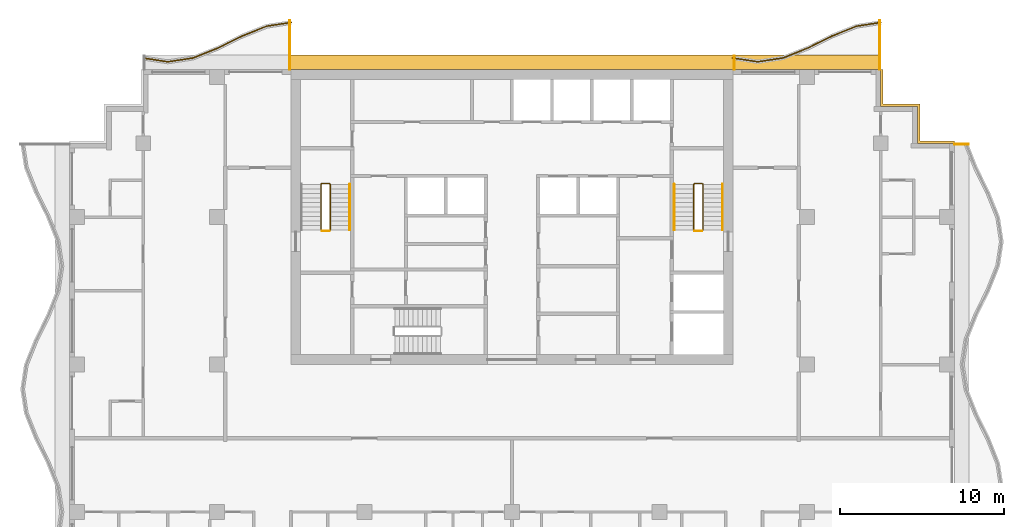
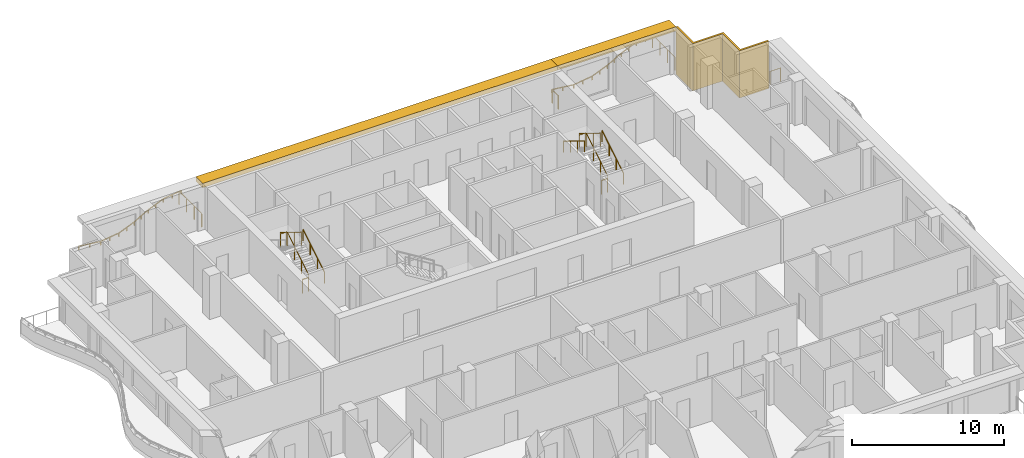
# One storey, part 11 of 11: 13 railings, 3 shading devices.
"""IFC4 building model written with IfcOpenShell, lengths in metres."""

from ifc_helpers import new_model, si_unit, direction, frame, origin, origin_2d, place, context, subcontext, project, spatial, polyline, rectangle, circle, outline, extrude, material, layer, layer_set, type_object, element, save


model = new_model("IFC4")

# Units and contexts
model_context = context("Model", 3, precision=1e-05, world=origin(), true_north=direction((0.0, 1.0)))
body_context = subcontext(model_context, "Body", "Model", "MODEL_VIEW")
ifc_project = project(units=[si_unit("LENGTHUNIT", "METRE"), si_unit("AREAUNIT", "SQUARE_METRE"), si_unit("VOLUMEUNIT", "CUBIC_METRE"), si_unit("PLANEANGLEUNIT", "RADIAN"), si_unit("MASSUNIT", "GRAM", prefix="KILO")], contexts=[model_context])

# Site, building, storey
site_placement = place(None, origin())
site = spatial("IfcSite", under=ifc_project, at=site_placement, CompositionType="ELEMENT")
building_placement = place(site_placement, origin())
building = spatial("IfcBuilding", under=site, at=building_placement, Name="Orbiselva Terraces", CompositionType="ELEMENT")
storey_placement = place(building_placement, frame((0.0, 0.0, 280.6)))
storey = spatial("IfcBuildingStorey", under=building, at=storey_placement, Name="L71", CompositionType="ELEMENT", Elevation=280.6)

# Railings
ifc_material_1 = material(Name="Stainless steel", Category="steel")
railing_type_1 = type_object("IfcRailingType", Name="CORE-GUARD-1100", PredefinedType="GUARDRAIL", material=ifc_material_1)
railing_1_placement = place(storey_placement, frame((-11.1, 12.7, 0.172727)))
element("IfcRailing", 1, at=railing_1_placement, inside=storey, type_object=railing_type_1, Name="L71 S1 stair guard 1", PredefinedType="GUARDRAIL", context=body_context, shape_type="SweptSolid", body=[
    extrude(circle(Radius=0.024, at=origin_2d()), frame((0.0, 0.0, 1.081), z_axis=(0.0, 0.851088519012, 0.52502222125), x_axis=(-1.0, 0.0, 0.0)), (0.0, 0.0, 1.0), 3.289905),
    extrude(circle(Radius=0.024, at=origin_2d()), frame((0.0, 2.8, 2.808273), z_axis=(-0.707106781187, 0.707106781187, 0.0), x_axis=(-0.707106781187, -0.707106781187, 0.0)), (0.0, 0.0, 1.0), 0.070711),
    extrude(circle(Radius=0.024, at=origin_2d()), frame((-0.05, 2.85, 2.808273), z_axis=(-1.0, 0.0, 0.0), x_axis=(0.0, -1.0, 0.0)), (0.0, 0.0, 1.0), 0.45),
    extrude(circle(Radius=0.024, at=origin_2d()), frame((-0.5, 2.85, 2.808273), z_axis=(-0.267894925557, -0.267894925557, 0.925453736133), x_axis=(0.707106781187, -0.707106781187, 0.0)), (0.0, 0.0, 1.0), 0.18664),
    extrude(circle(Radius=0.024, at=origin_2d()), frame((-0.55, 2.8, 2.981), z_axis=(0.0, -0.851088519012, 0.52502222125), x_axis=(1.0, 0.0, 0.0)), (0.0, 0.0, 1.0), 3.289905),
    extrude(circle(Radius=0.021, at=origin_2d()), origin(), (0.0, 0.0, 1.0), 1.057),
    extrude(circle(Radius=0.021, at=origin_2d()), frame((0.0, 0.933333, 0.575758)), (0.0, 0.0, 1.0), 1.057),
    extrude(circle(Radius=0.021, at=origin_2d()), frame((0.0, 1.866667, 1.151515)), (0.0, 0.0, 1.0), 1.057),
    extrude(circle(Radius=0.021, at=origin_2d()), frame((0.0, 2.8, 1.727273)), (0.0, 0.0, 1.0), 1.057),
    extrude(circle(Radius=0.021, at=origin_2d()), frame((-0.05, 2.85, 1.727273)), (0.0, 0.0, 1.0), 1.057),
    extrude(circle(Radius=0.021, at=origin_2d()), frame((-0.5, 2.85, 1.727273)), (0.0, 0.0, 1.0), 1.057),
    extrude(circle(Radius=0.021, at=origin_2d()), frame((-0.55, 2.8, 1.9)), (0.0, 0.0, 1.0), 1.057),
    extrude(circle(Radius=0.021, at=origin_2d()), frame((-0.55, 1.866667, 2.475758)), (0.0, 0.0, 1.0), 1.057),
    extrude(circle(Radius=0.021, at=origin_2d()), frame((-0.55, 0.933333, 3.051515)), (0.0, 0.0, 1.0), 1.057),
    extrude(circle(Radius=0.021, at=origin_2d()), frame((-0.55, 0.0, 3.627273)), (0.0, 0.0, 1.0), 1.057),
])
railing_2_placement = place(storey_placement, frame((-11.15, 12.65, 0.0)))
element("IfcRailing", 2, at=railing_2_placement, inside=storey, type_object=railing_type_1, Name="L71 S1 stair guard 2", PredefinedType="GUARDRAIL", context=body_context, shape_type="SweptSolid", body=[
    extrude(circle(Radius=0.024, at=origin_2d()), frame((0.0, 0.0, 1.081), z_axis=(-1.0, 0.0, 0.0), x_axis=(0.0, -1.0, 0.0)), (0.0, 0.0, 1.0), 0.45),
    extrude(circle(Radius=0.021, at=origin_2d()), origin(), (0.0, 0.0, 1.0), 1.057),
    extrude(circle(Radius=0.021, at=origin_2d()), frame((-0.45, 0.0, 0.0)), (0.0, 0.0, 1.0), 1.057),
])
railing_3_placement = place(storey_placement, frame((11.65, 12.7, 0.172727)))
element("IfcRailing", 3, at=railing_3_placement, inside=storey, type_object=railing_type_1, Name="L71 S2 stair guard 1", PredefinedType="GUARDRAIL", context=body_context, shape_type="SweptSolid", body=[
    extrude(circle(Radius=0.024, at=origin_2d()), frame((0.0, 0.0, 1.081), z_axis=(0.0, 0.851088519012, 0.52502222125), x_axis=(-1.0, 0.0, 0.0)), (0.0, 0.0, 1.0), 3.289905),
    extrude(circle(Radius=0.024, at=origin_2d()), frame((0.0, 2.8, 2.808273), z_axis=(-0.707106781187, 0.707106781187, 0.0), x_axis=(-0.707106781187, -0.707106781187, 0.0)), (0.0, 0.0, 1.0), 0.070711),
    extrude(circle(Radius=0.024, at=origin_2d()), frame((-0.05, 2.85, 2.808273), z_axis=(-1.0, 0.0, 0.0), x_axis=(0.0, -1.0, 0.0)), (0.0, 0.0, 1.0), 0.45),
    extrude(circle(Radius=0.024, at=origin_2d()), frame((-0.5, 2.85, 2.808273), z_axis=(-0.267894925557, -0.267894925557, 0.925453736133), x_axis=(0.707106781187, -0.707106781187, 0.0)), (0.0, 0.0, 1.0), 0.18664),
    extrude(circle(Radius=0.024, at=origin_2d()), frame((-0.55, 2.8, 2.981), z_axis=(0.0, -0.851088519012, 0.52502222125), x_axis=(1.0, 0.0, 0.0)), (0.0, 0.0, 1.0), 3.289905),
    extrude(circle(Radius=0.021, at=origin_2d()), origin(), (0.0, 0.0, 1.0), 1.057),
    extrude(circle(Radius=0.021, at=origin_2d()), frame((0.0, 0.933333, 0.575758)), (0.0, 0.0, 1.0), 1.057),
    extrude(circle(Radius=0.021, at=origin_2d()), frame((0.0, 1.866667, 1.151515)), (0.0, 0.0, 1.0), 1.057),
    extrude(circle(Radius=0.021, at=origin_2d()), frame((0.0, 2.8, 1.727273)), (0.0, 0.0, 1.0), 1.057),
    extrude(circle(Radius=0.021, at=origin_2d()), frame((-0.05, 2.85, 1.727273)), (0.0, 0.0, 1.0), 1.057),
    extrude(circle(Radius=0.021, at=origin_2d()), frame((-0.5, 2.85, 1.727273)), (0.0, 0.0, 1.0), 1.057),
    extrude(circle(Radius=0.021, at=origin_2d()), frame((-0.55, 2.8, 1.9)), (0.0, 0.0, 1.0), 1.057),
    extrude(circle(Radius=0.021, at=origin_2d()), frame((-0.55, 1.866667, 2.475758)), (0.0, 0.0, 1.0), 1.057),
    extrude(circle(Radius=0.021, at=origin_2d()), frame((-0.55, 0.933333, 3.051515)), (0.0, 0.0, 1.0), 1.057),
    extrude(circle(Radius=0.021, at=origin_2d()), frame((-0.55, 0.0, 3.627273)), (0.0, 0.0, 1.0), 1.057),
])
railing_4_placement = place(storey_placement, frame((11.6, 12.65, 0.0)))
element("IfcRailing", 4, at=railing_4_placement, inside=storey, type_object=railing_type_1, Name="L71 S2 stair guard 2", PredefinedType="GUARDRAIL", context=body_context, shape_type="SweptSolid", body=[
    extrude(circle(Radius=0.024, at=origin_2d()), frame((0.0, 0.0, 1.081), z_axis=(-1.0, 0.0, 0.0), x_axis=(0.0, -1.0, 0.0)), (0.0, 0.0, 1.0), 0.45),
    extrude(circle(Radius=0.021, at=origin_2d()), origin(), (0.0, 0.0, 1.0), 1.057),
    extrude(circle(Radius=0.021, at=origin_2d()), frame((-0.45, 0.0, 0.0)), (0.0, 0.0, 1.0), 1.057),
])
railing_type_2 = type_object("IfcRailingType", Name="CORE-HANDRAIL-900", PredefinedType="HANDRAIL", material=ifc_material_1)
for number, where, name in (
    (5, (-9.9, 12.7, 0.172727), "L71 S1 stair handrail 1"),
    (6, (12.85, 12.7, 0.172727), "L71 S2 stair handrail 1"),
):
    element("IfcRailing", number, at=place(storey_placement, frame(where)), inside=storey, type_object=railing_type_2, Name=name, PredefinedType="HANDRAIL", context=body_context, shape_type="SweptSolid", body=[
        extrude(circle(Radius=0.024, at=origin_2d()), frame((0.0, 0.0, 0.876), z_axis=(0.0, 0.851088519012, 0.52502222125), x_axis=(-1.0, 0.0, 0.0)), (0.0, 0.0, 1.0), 3.289905),
        extrude(circle(Radius=0.021, at=origin_2d()), origin(), (0.0, 0.0, 1.0), 0.852),
        extrude(circle(Radius=0.021, at=origin_2d()), frame((0.0, 0.933333, 0.575758)), (0.0, 0.0, 1.0), 0.852),
        extrude(circle(Radius=0.021, at=origin_2d()), frame((0.0, 1.866667, 1.151515)), (0.0, 0.0, 1.0), 0.852),
        extrude(circle(Radius=0.021, at=origin_2d()), frame((0.0, 2.8, 1.727273)), (0.0, 0.0, 1.0), 0.852),
    ])
railing_5_placement = place(storey_placement, frame((9.9, 15.5, 2.072727)))
element("IfcRailing", 7, at=railing_5_placement, inside=storey, type_object=railing_type_2, Name="L71 S2 stair handrail 2", PredefinedType="HANDRAIL", context=body_context, shape_type="SweptSolid", body=[
    extrude(circle(Radius=0.024, at=origin_2d()), frame((0.0, 0.0, 0.876), z_axis=(0.0, -0.851088519012, 0.52502222125), x_axis=(1.0, 0.0, 0.0)), (0.0, 0.0, 1.0), 3.289905),
    extrude(circle(Radius=0.021, at=origin_2d()), origin(), (0.0, 0.0, 1.0), 0.852),
    extrude(circle(Radius=0.021, at=origin_2d()), frame((0.0, -0.933333, 0.575758)), (0.0, 0.0, 1.0), 0.852),
    extrude(circle(Radius=0.021, at=origin_2d()), frame((0.0, -1.866667, 1.151515)), (0.0, 0.0, 1.0), 0.852),
    extrude(circle(Radius=0.021, at=origin_2d()), frame((0.0, -2.8, 1.727273)), (0.0, 0.0, 1.0), 0.852),
])
ifc_material_2 = material(Name="Bonded two-ply safety glass balustrade, stainless steel posts", Category="steel")
railing_type_3 = type_object("IfcRailingType", Name="ENV-BALUSTRADE-1200", PredefinedType="BALUSTRADE", material=ifc_material_2)
railing_6_placement = place(storey_placement, frame((22.518879, 25.376434, 0.9)))
element("IfcRailing", 8, at=railing_6_placement, inside=storey, type_object=railing_type_3, Name="Balcony balustrade L71 NE", PredefinedType="BALUSTRADE", context=body_context, shape_type="SweptSolid", body=[
    extrude(outline(polyline([(0.028868, 0.0), (0.014434, 0.025), (-0.014434, 0.025), (-0.028868, 0.0), (-0.014434, -0.025), (0.014434, -0.025), (0.028868, 0.0)])), frame((0.0, 0.0, 0.275), z_axis=(-0.988528552748, -0.151034103443, 0.0), x_axis=(0.151034103443, -0.988528552748, 0.0)), (0.0, 0.0, 1.0), 1.503038),
    extrude(outline(polyline([(0.028868, 0.0), (0.014434, 0.025), (-0.014434, 0.025), (-0.028868, 0.0), (-0.014434, -0.025), (0.014434, -0.025), (0.028868, 0.0)])), frame((-1.485796, -0.22701, 0.275), z_axis=(-0.928476561272, -0.371391000387, 0.0), x_axis=(0.371391000387, -0.928476561272, 0.0)), (0.0, 0.0, 1.0), 1.596261),
    extrude(outline(polyline([(0.028868, 0.0), (0.014434, 0.025), (-0.014434, 0.025), (-0.028868, 0.0), (-0.014434, -0.025), (0.014434, -0.025), (0.028868, 0.0)])), frame((-2.967887, -0.819847, 0.275), z_axis=(-0.896416672454, -0.443212307306, 0.0), x_axis=(0.443212307306, -0.896416672454, 0.0)), (0.0, 0.0, 1.0), 1.673329),
    extrude(outline(polyline([(0.028868, 0.0), (0.014434, 0.025), (-0.014434, 0.025), (-0.028868, 0.0), (-0.014434, -0.025), (0.014434, -0.025), (0.028868, 0.0)])), frame((-4.467887, -1.561487, 0.275), z_axis=(-0.92847681744, -0.371390359967, 0.0), x_axis=(0.371390359967, -0.92847681744, 0.0)), (0.0, 0.0, 1.0), 1.634838),
    extrude(outline(polyline([(0.028868, 0.0), (0.014434, 0.025), (-0.014434, 0.025), (-0.028868, 0.0), (-0.014434, -0.025), (0.014434, -0.025), (0.028868, 0.0)])), frame((-5.985796, -2.16865, 0.275), z_axis=(-0.988528536275, -0.151034211256, 0.0), x_axis=(0.151034211256, -0.988528536275, 0.0)), (0.0, 0.0, 1.0), 1.550874),
    extrude(outline(polyline([(0.028868, 0.0), (0.014434, 0.025), (-0.014434, 0.025), (-0.028868, 0.0), (-0.014434, -0.025), (0.014434, -0.025), (0.028868, 0.0)])), frame((-7.518879, -2.402885, 0.275), z_axis=(-0.988528518286, 0.151034328999, 0.0), x_axis=(-0.151034328999, -0.988528518286, 0.0)), (0.0, 0.0, 1.0), 1.536505),
    extrude(rectangle(XDim=0.05, YDim=0.05, at=origin_2d()), origin(), (0.0, 0.0, 1.0), 0.25),
    extrude(rectangle(XDim=0.05, YDim=0.05, at=origin_2d()), frame((-0.742898, -0.113505, 0.0)), (0.0, 0.0, 1.0), 0.25),
    extrude(rectangle(XDim=0.05, YDim=0.05, at=origin_2d()), frame((-1.485796, -0.22701, 0.0)), (0.0, 0.0, 1.0), 0.25),
    extrude(rectangle(XDim=0.05, YDim=0.05, at=origin_2d()), frame((-2.226841, -0.523428, 0.0)), (0.0, 0.0, 1.0), 0.25),
    extrude(rectangle(XDim=0.05, YDim=0.05, at=origin_2d()), frame((-2.967887, -0.819847, 0.0)), (0.0, 0.0, 1.0), 0.25),
    extrude(rectangle(XDim=0.05, YDim=0.05, at=origin_2d()), frame((-3.717887, -1.190667, 0.0)), (0.0, 0.0, 1.0), 0.25),
    extrude(rectangle(XDim=0.05, YDim=0.05, at=origin_2d()), frame((-4.467887, -1.561487, 0.0)), (0.0, 0.0, 1.0), 0.25),
    extrude(rectangle(XDim=0.05, YDim=0.05, at=origin_2d()), frame((-5.226841, -1.865068, 0.0)), (0.0, 0.0, 1.0), 0.25),
    extrude(rectangle(XDim=0.05, YDim=0.05, at=origin_2d()), frame((-5.985796, -2.16865, 0.0)), (0.0, 0.0, 1.0), 0.25),
    extrude(rectangle(XDim=0.05, YDim=0.05, at=origin_2d()), frame((-6.752337, -2.285768, 0.0)), (0.0, 0.0, 1.0), 0.25),
    extrude(rectangle(XDim=0.05, YDim=0.05, at=origin_2d()), frame((-7.518879, -2.402885, 0.0)), (0.0, 0.0, 1.0), 0.25),
    extrude(rectangle(XDim=0.05, YDim=0.05, at=origin_2d()), frame((-8.278318, -2.286852, 0.0)), (0.0, 0.0, 1.0), 0.25),
    extrude(rectangle(XDim=0.05, YDim=0.05, at=origin_2d()), frame((-9.037758, -2.17082, 0.0)), (0.0, 0.0, 1.0), 0.25),
])
railing_7_placement = place(storey_placement, frame((-13.481121, 25.376434, 0.9)))
element("IfcRailing", 9, at=railing_7_placement, inside=storey, type_object=railing_type_3, Name="Balcony balustrade L71 NW", PredefinedType="BALUSTRADE", context=body_context, shape_type="SweptSolid", body=[
    extrude(outline(polyline([(0.028868, 0.0), (0.014434, 0.025), (-0.014434, 0.025), (-0.028868, 0.0), (-0.014434, -0.025), (0.014434, -0.025), (0.028868, 0.0)])), frame((0.0, 0.0, 0.275), z_axis=(-0.988528552748, -0.151034103443, 0.0), x_axis=(0.151034103443, -0.988528552748, 0.0)), (0.0, 0.0, 1.0), 1.503038),
    extrude(outline(polyline([(0.028868, 0.0), (0.014434, 0.025), (-0.014434, 0.025), (-0.028868, 0.0), (-0.014434, -0.025), (0.014434, -0.025), (0.028868, 0.0)])), frame((-1.485796, -0.22701, 0.275), z_axis=(-0.928476561272, -0.371391000387, 0.0), x_axis=(0.371391000387, -0.928476561272, 0.0)), (0.0, 0.0, 1.0), 1.596261),
    extrude(outline(polyline([(0.028868, 0.0), (0.014434, 0.025), (-0.014434, 0.025), (-0.028868, 0.0), (-0.014434, -0.025), (0.014434, -0.025), (0.028868, 0.0)])), frame((-2.967887, -0.819847, 0.275), z_axis=(-0.896416672454, -0.443212307306, 0.0), x_axis=(0.443212307306, -0.896416672454, 0.0)), (0.0, 0.0, 1.0), 1.673329),
    extrude(outline(polyline([(0.028868, 0.0), (0.014434, 0.025), (-0.014434, 0.025), (-0.028868, 0.0), (-0.014434, -0.025), (0.014434, -0.025), (0.028868, 0.0)])), frame((-4.467887, -1.561487, 0.275), z_axis=(-0.92847681744, -0.371390359967, 0.0), x_axis=(0.371390359967, -0.92847681744, 0.0)), (0.0, 0.0, 1.0), 1.634838),
    extrude(outline(polyline([(0.028868, 0.0), (0.014434, 0.025), (-0.014434, 0.025), (-0.028868, 0.0), (-0.014434, -0.025), (0.014434, -0.025), (0.028868, 0.0)])), frame((-5.985796, -2.16865, 0.275), z_axis=(-0.988528536275, -0.151034211256, 0.0), x_axis=(0.151034211256, -0.988528536275, 0.0)), (0.0, 0.0, 1.0), 1.550874),
    extrude(outline(polyline([(0.028868, 0.0), (0.014434, 0.025), (-0.014434, 0.025), (-0.028868, 0.0), (-0.014434, -0.025), (0.014434, -0.025), (0.028868, 0.0)])), frame((-7.518879, -2.402885, 0.275), z_axis=(-0.988528518286, 0.151034328999, 0.0), x_axis=(-0.151034328999, -0.988528518286, 0.0)), (0.0, 0.0, 1.0), 1.536505),
    extrude(rectangle(XDim=0.05, YDim=0.05, at=origin_2d()), origin(), (0.0, 0.0, 1.0), 0.25),
    extrude(rectangle(XDim=0.05, YDim=0.05, at=origin_2d()), frame((-0.742898, -0.113505, 0.0)), (0.0, 0.0, 1.0), 0.25),
    extrude(rectangle(XDim=0.05, YDim=0.05, at=origin_2d()), frame((-1.485796, -0.22701, 0.0)), (0.0, 0.0, 1.0), 0.25),
    extrude(rectangle(XDim=0.05, YDim=0.05, at=origin_2d()), frame((-2.226842, -0.523428, 0.0)), (0.0, 0.0, 1.0), 0.25),
    extrude(rectangle(XDim=0.05, YDim=0.05, at=origin_2d()), frame((-2.967887, -0.819847, 0.0)), (0.0, 0.0, 1.0), 0.25),
    extrude(rectangle(XDim=0.05, YDim=0.05, at=origin_2d()), frame((-3.717887, -1.190667, 0.0)), (0.0, 0.0, 1.0), 0.25),
    extrude(rectangle(XDim=0.05, YDim=0.05, at=origin_2d()), frame((-4.467887, -1.561487, 0.0)), (0.0, 0.0, 1.0), 0.25),
    extrude(rectangle(XDim=0.05, YDim=0.05, at=origin_2d()), frame((-5.226841, -1.865068, 0.0)), (0.0, 0.0, 1.0), 0.25),
    extrude(rectangle(XDim=0.05, YDim=0.05, at=origin_2d()), frame((-5.985796, -2.16865, 0.0)), (0.0, 0.0, 1.0), 0.25),
    extrude(rectangle(XDim=0.05, YDim=0.05, at=origin_2d()), frame((-6.752337, -2.285768, 0.0)), (0.0, 0.0, 1.0), 0.25),
    extrude(rectangle(XDim=0.05, YDim=0.05, at=origin_2d()), frame((-7.518879, -2.402885, 0.0)), (0.0, 0.0, 1.0), 0.25),
    extrude(rectangle(XDim=0.05, YDim=0.05, at=origin_2d()), frame((-8.278318, -2.286852, 0.0)), (0.0, 0.0, 1.0), 0.25),
    extrude(rectangle(XDim=0.05, YDim=0.05, at=origin_2d()), frame((-9.037758, -2.17082, 0.0)), (0.0, 0.0, 1.0), 0.25),
])
ifc_material_3 = material(Name="Stainless steel rail and posts", Category="steel")
railing_type_4 = type_object("IfcRailingType", Name="ENV-GUARD-1105", PredefinedType="BALUSTRADE", material=ifc_material_3)
railing_8_placement = place(storey_placement, frame((27.847212, 17.94, 0.0)))
element("IfcRailing", 10, at=railing_8_placement, inside=storey, type_object=railing_type_4, Name="Balcony end guard L71 E", PredefinedType="BALUSTRADE", context=body_context, shape_type="SweptSolid", body=[
    extrude(outline(polyline([(0.028868, 0.0), (0.014434, 0.025), (-0.014434, 0.025), (-0.028868, 0.0), (-0.014434, -0.025), (0.014434, -0.025), (0.028868, 0.0)])), frame((0.0, 0.0, 1.08), z_axis=(-1.0, 0.0, 0.0), x_axis=(0.0, -1.0, 0.0)), (0.0, 0.0, 1.0), 0.822212),
    extrude(rectangle(XDim=0.05, YDim=0.05, at=origin_2d()), origin(), (0.0, 0.0, 1.0), 1.055),
    extrude(rectangle(XDim=0.05, YDim=0.05, at=origin_2d()), frame((-0.822212, 0.0, 0.0)), (0.0, 0.0, 1.0), 1.055),
])
railing_9_placement = place(storey_placement, frame((22.44, 25.499621, 0.0)))
element("IfcRailing", 11, at=railing_9_placement, inside=storey, type_object=railing_type_4, Name="Balcony end guard L71 NE", PredefinedType="BALUSTRADE", context=body_context, shape_type="SweptSolid", body=[
    extrude(outline(polyline([(0.028868, 0.0), (0.014434, 0.025), (-0.014434, 0.025), (-0.028868, 0.0), (-0.014434, -0.025), (0.014434, -0.025), (0.028868, 0.0)])), frame((0.0, 0.0, 1.08), z_axis=(0.0, -1.0, 0.0), x_axis=(1.0, 0.0, 0.0)), (0.0, 0.0, 1.0), 2.974621),
    extrude(rectangle(XDim=0.05, YDim=0.05, at=origin_2d()), origin(), (0.0, 0.0, 1.0), 1.055),
    extrude(rectangle(XDim=0.05, YDim=0.05, at=origin_2d()), frame((0.0, -0.99154, 0.0)), (0.0, 0.0, 1.0), 1.055),
    extrude(rectangle(XDim=0.05, YDim=0.05, at=origin_2d()), frame((0.0, -1.983081, 0.0)), (0.0, 0.0, 1.0), 1.055),
    extrude(rectangle(XDim=0.05, YDim=0.05, at=origin_2d()), frame((0.0, -2.974621, 0.0)), (0.0, 0.0, 1.0), 1.055),
])
railing_10_placement = place(storey_placement, frame((13.56, 23.311761, 0.0)))
element("IfcRailing", 12, at=railing_10_placement, inside=storey, type_object=railing_type_4, Name="Balcony end guard L71 NE", PredefinedType="BALUSTRADE", context=body_context, shape_type="SweptSolid", body=[
    extrude(outline(polyline([(0.028868, 0.0), (0.014434, 0.025), (-0.014434, 0.025), (-0.028868, 0.0), (-0.014434, -0.025), (0.014434, -0.025), (0.028868, 0.0)])), frame((0.0, 0.0, 1.08), z_axis=(0.0, -1.0, 0.0), x_axis=(1.0, 0.0, 0.0)), (0.0, 0.0, 1.0), 0.786761),
    extrude(rectangle(XDim=0.05, YDim=0.05, at=origin_2d()), origin(), (0.0, 0.0, 1.0), 1.055),
    extrude(rectangle(XDim=0.05, YDim=0.05, at=origin_2d()), frame((0.0, -0.786761, 0.0)), (0.0, 0.0, 1.0), 1.055),
])
railing_11_placement = place(storey_placement, frame((-13.56, 25.499621, 0.0)))
element("IfcRailing", 13, at=railing_11_placement, inside=storey, type_object=railing_type_4, Name="Balcony end guard L71 NW", PredefinedType="BALUSTRADE", context=body_context, shape_type="SweptSolid", body=[
    extrude(outline(polyline([(0.028868, 0.0), (0.014434, 0.025), (-0.014434, 0.025), (-0.028868, 0.0), (-0.014434, -0.025), (0.014434, -0.025), (0.028868, 0.0)])), frame((0.0, 0.0, 1.08), z_axis=(0.0, -1.0, 0.0), x_axis=(1.0, 0.0, 0.0)), (0.0, 0.0, 1.0), 2.974621),
    extrude(rectangle(XDim=0.05, YDim=0.05, at=origin_2d()), origin(), (0.0, 0.0, 1.0), 1.055),
    extrude(rectangle(XDim=0.05, YDim=0.05, at=origin_2d()), frame((0.0, -0.99154, 0.0)), (0.0, 0.0, 1.0), 1.055),
    extrude(rectangle(XDim=0.05, YDim=0.05, at=origin_2d()), frame((0.0, -1.983081, 0.0)), (0.0, 0.0, 1.0), 1.055),
    extrude(rectangle(XDim=0.05, YDim=0.05, at=origin_2d()), frame((0.0, -2.974621, 0.0)), (0.0, 0.0, 1.0), 1.055),
])

# Shading devices
ifc_material_4 = material(Name="Terracotta louvre screen", Category="masonry")
ifc_layer_1 = layer(ifc_material_4, 0.15)
ifc_layer_set_1 = layer_set([ifc_layer_1], Name="Terracotta louvre screen")
shading_device_type_1 = type_object("IfcShadingDeviceType", Name="ENV-SCREEN-150", PredefinedType="USERDEFINED", material=ifc_layer_set_1)
shading_device_1_placement = place(storey_placement, frame((0.0, 0.0, -0.3)))
element("IfcShadingDevice", 14, at=shading_device_1_placement, inside=storey, type_object=shading_device_type_1, Name="Louvre screen L71 NE", ObjectType="SCREEN", PredefinedType="USERDEFINED", context=body_context, shape_type="SweptSolid", body=[
    extrude(outline(polyline([(27.0, 18.15), (24.9, 18.15), (24.9, 20.4), (22.65, 20.4), (22.65, 22.5), (22.5, 22.5), (22.5, 20.25), (24.75, 20.25), (24.75, 18.0), (27.0, 18.0), (27.0, 18.15)])), origin(), (0.0, 0.0, 1.0), 3.8),
])
ifc_material_5 = material(Name="Terracotta baguette sunshade", Category="masonry")
ifc_layer_2 = layer(ifc_material_5, 0.35)
ifc_layer_set_2 = layer_set([ifc_layer_2], Name="Terracotta baguette sunshade")
shading_device_type_2 = type_object("IfcShadingDeviceType", Name="ENV-SUNSHADE-900x350", PredefinedType="USERDEFINED", material=ifc_layer_set_2)
shading_device_2_placement = place(storey_placement, frame((0.0, 0.0, 3.15)))
element("IfcShadingDevice", 15, at=shading_device_2_placement, inside=storey, type_object=shading_device_type_2, Name="Sunshade band L71 NE", ObjectType="SUNSHADE", PredefinedType="USERDEFINED", context=body_context, shape_type="SweptSolid", body=[
    extrude(outline(polyline([(22.5, 23.4), (13.5, 23.4), (13.5, 22.5), (22.5, 22.5), (22.5, 23.4)])), origin(), (0.0, 0.0, 1.0), 0.35),
])
shading_device_3_placement = place(storey_placement, frame((0.0, 0.0, 3.15)))
element("IfcShadingDevice", 16, at=shading_device_3_placement, inside=storey, type_object=shading_device_type_2, Name="Sunshade band L71 CORE NORTH", ObjectType="SUNSHADE", PredefinedType="USERDEFINED", context=body_context, shape_type="SweptSolid", body=[
    extrude(outline(polyline([(13.5, 23.4), (-13.5, 23.4), (-13.5, 22.5), (13.5, 22.5), (13.5, 23.4)])), origin(), (0.0, 0.0, 1.0), 0.35),
])

save(model, "model.ifc")
